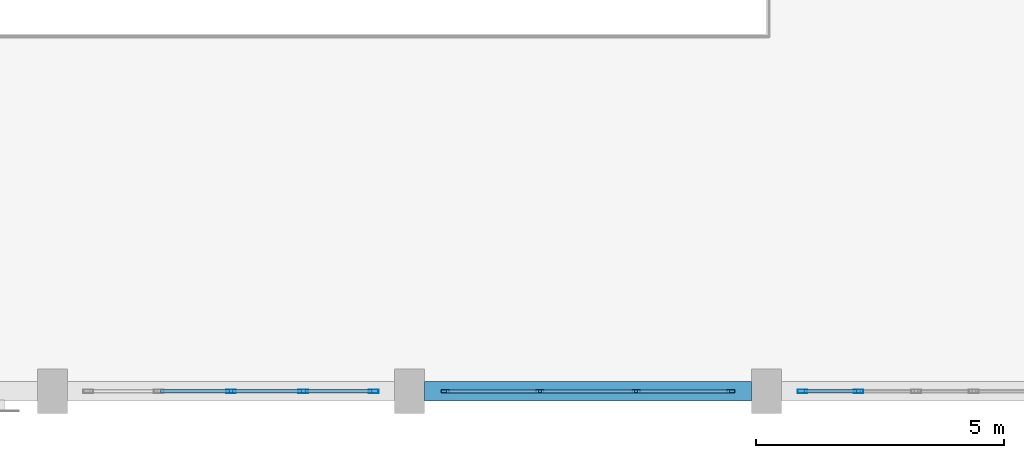
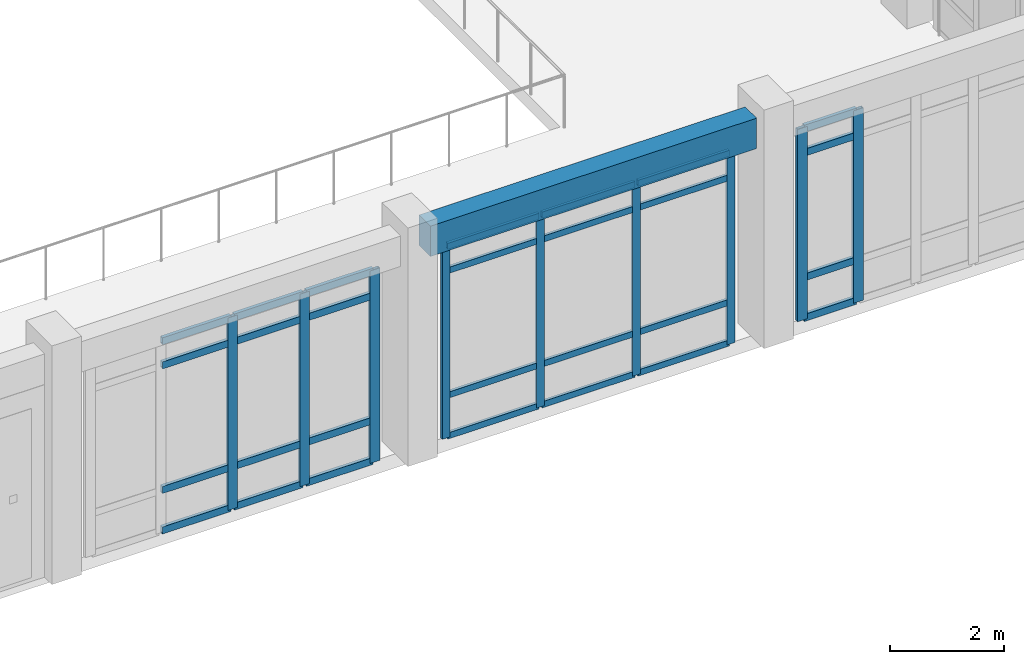
# One storey, part 16 of 117: 37 members, 1 beam, 3 elements without a shape of their own.
"""IFC4 building model written with IfcOpenShell, lengths in metres."""

from ifc_helpers import new_model, si_unit, direction, frame, origin, origin_2d, place, context, subcontext, project, spatial, rectangle, hollow_rectangle, extrude, material, layer, layer_set, material_profile, profile_set, type_object, element, aggregate, save


model = new_model("IFC4")

# Units and contexts
model_context = context("Model", 3, precision=1e-05, world=origin(), true_north=direction((0.0, 1.0)))
body_context = subcontext(model_context, "Body", "Model", "MODEL_VIEW")
ifc_project = project(units=[si_unit("LENGTHUNIT", "METRE"), si_unit("AREAUNIT", "SQUARE_METRE"), si_unit("VOLUMEUNIT", "CUBIC_METRE"), si_unit("PLANEANGLEUNIT", "RADIAN"), si_unit("MASSUNIT", "GRAM", prefix="KILO")], contexts=[model_context])

# Site, building, storey
site_placement = place(None, origin())
site = spatial("IfcSite", under=ifc_project, at=site_placement, CompositionType="ELEMENT")
building_placement = place(site_placement, origin())
building = spatial("IfcBuilding", under=site, at=building_placement, Name="Carrowvane Square Congress Hotel", CompositionType="ELEMENT")
storey_placement = place(building_placement, frame((0.0, 0.0, 5.39990234375)))
storey = spatial("IfcBuildingStorey", under=building, at=storey_placement, Name="L01", CompositionType="ELEMENT", Elevation=5.39990234375)

# Curtain wall, members
ifc_material_1 = material(Name="Anodised aluminium", Category="aluminium")
ifc_layer_1 = layer(ifc_material_1, 0.162109375)
ifc_layer_set_1 = layer_set([ifc_layer_1], Name="Anodised aluminium")
curtain_wall_type_1 = type_object("IfcCurtainWallType", Name="CW-SYS-1", PredefinedType="NOTDEFINED", material=ifc_layer_set_1)
curtain_wall_1_placement = place(storey_placement, origin())
curtain_wall_1 = element("IfcCurtainWall", 1, at=curtain_wall_1_placement, inside=storey, type_object=curtain_wall_type_1, Name="L01 unitised curtain wall 128", PredefinedType="NOTDEFINED")
ifc_material_2 = material(Name="Anodised aluminium", Category="aluminium")
ifc_material_profile_1 = material_profile(ifc_material_2, hollow_rectangle(XDim=0.06005859375, YDim=0.159912109375, WallThickness=0.00390625, at=origin_2d()), Name="CW-ML 60x160x4")
ifc_profile_set_1 = profile_set([ifc_material_profile_1], Name="Anodised aluminium")
member_type_1 = type_object("IfcMemberType", Name="CW-MUL-1", PredefinedType="MULLION", material=ifc_profile_set_1)
member_1_placement = place(storey_placement, frame((54.080078125, 5.39990234375, 0.0), z_axis=(0.0, 0.0, 1.0), x_axis=(0.0, -1.0, 0.0)))
member_1 = element("IfcMember", 2, at=member_1_placement, type_object=member_type_1, Name="CW-1 mullion 1", PredefinedType="MULLION", context=body_context, shape_type="SweptSolid", body=[
    extrude(hollow_rectangle(XDim=0.06005859375, YDim=0.159912109375, WallThickness=0.00390625, at=origin_2d()), origin(), (0.0, 0.0, 1.0), 4.114990234375),
])
member_2_placement = place(storey_placement, frame((52.169921875, 5.39990234375, 0.0), z_axis=(0.0, 0.0, 1.0), x_axis=(0.0, -1.0, 0.0)))
member_2 = element("IfcMember", 3, at=member_2_placement, type_object=member_type_1, Name="CW-1 mullion 2", PredefinedType="MULLION", context=body_context, shape_type="SweptSolid", body=[
    extrude(hollow_rectangle(XDim=0.06005859375, YDim=0.159912109375, WallThickness=0.00390625, at=origin_2d()), origin(), (0.0, 0.0, 1.0), 4.114990234375),
])
member_3_placement = place(storey_placement, frame((50.22998046875, 5.39990234375, 0.0), z_axis=(0.0, 0.0, 1.0), x_axis=(0.0, -1.0, 0.0)))
member_3 = element("IfcMember", 4, at=member_3_placement, type_object=member_type_1, Name="CW-1 mullion 3", PredefinedType="MULLION", context=body_context, shape_type="SweptSolid", body=[
    extrude(hollow_rectangle(XDim=0.06005859375, YDim=0.159912109375, WallThickness=0.00390625, at=origin_2d()), origin(), (0.0, 0.0, 1.0), 4.114990234375),
])
member_4_placement = place(storey_placement, frame((48.320068359375, 5.39990234375, 0.0), z_axis=(0.0, 0.0, 1.0), x_axis=(0.0, -1.0, 0.0)))
member_4 = element("IfcMember", 5, at=member_4_placement, type_object=member_type_1, Name="CW-1 mullion 4", PredefinedType="MULLION", context=body_context, shape_type="SweptSolid", body=[
    extrude(hollow_rectangle(XDim=0.06005859375, YDim=0.159912109375, WallThickness=0.00390625, at=origin_2d()), origin(), (0.0, 0.0, 1.0), 4.114990234375),
])

ifc_material_3 = material(Name="Anodised aluminium", Category="aluminium")
ifc_layer_2 = layer(ifc_material_3, 0.24609375)
ifc_layer_set_2 = layer_set([ifc_layer_2], Name="Anodised aluminium")
curtain_wall_type_2 = type_object("IfcCurtainWallType", Name="CW-SYS-8", PredefinedType="NOTDEFINED", material=ifc_layer_set_2)
curtain_wall_2_placement = place(storey_placement, origin())
curtain_wall_2 = element("IfcCurtainWall", 6, at=curtain_wall_2_placement, inside=storey, type_object=curtain_wall_type_2, Name="L01 unitised curtain wall 127", PredefinedType="NOTDEFINED")
ifc_material_4 = material(Name="Anodised aluminium", Category="aluminium")
ifc_material_profile_2 = material_profile(ifc_material_4, hollow_rectangle(XDim=0.070068359375, YDim=0.199951171875, WallThickness=0.0048828125, at=origin_2d()), Name="CW-ML 70x200x5")
ifc_profile_set_2 = profile_set([ifc_material_profile_2], Name="Anodised aluminium")
member_type_2 = type_object("IfcMemberType", Name="CW-MUL-2", PredefinedType="MULLION", material=ifc_profile_set_2)
member_5_placement = place(storey_placement, frame((56.654052734375, 5.39990234375, 0.0), z_axis=(0.0, 0.0, 1.0), x_axis=(0.0, -1.0, 0.0)))
member_5 = element("IfcMember", 7, at=member_5_placement, type_object=member_type_2, Name="CW-8 mullion 5", PredefinedType="MULLION", context=body_context, shape_type="SweptSolid", body=[
    extrude(hollow_rectangle(XDim=0.070068359375, YDim=0.199951171875, WallThickness=0.0048828125, at=origin_2d()), origin(), (0.0, 0.0, 1.0), 4.114990234375),
])
member_6_placement = place(storey_placement, frame((55.52490234375, 5.39990234375, 0.0), z_axis=(0.0, 0.0, 1.0), x_axis=(0.0, -1.0, 0.0)))
member_6 = element("IfcMember", 8, at=member_6_placement, type_object=member_type_2, Name="CW-8 mullion 6", PredefinedType="MULLION", context=body_context, shape_type="SweptSolid", body=[
    extrude(hollow_rectangle(XDim=0.070068359375, YDim=0.199951171875, WallThickness=0.0048828125, at=origin_2d()), origin(), (0.0, 0.0, 1.0), 4.114990234375),
])

ifc_material_5 = material(Name="Anodised aluminium", Category="aluminium")
ifc_layer_3 = layer(ifc_material_5, 0.174072265625)
ifc_layer_set_3 = layer_set([ifc_layer_3], Name="Anodised aluminium")
curtain_wall_type_3 = type_object("IfcCurtainWallType", Name="CW-SYS-2", PredefinedType="NOTDEFINED", material=ifc_layer_set_3)
curtain_wall_3_placement = place(storey_placement, origin())
curtain_wall_3 = element("IfcCurtainWall", 9, at=curtain_wall_3_placement, inside=storey, type_object=curtain_wall_type_3, Name="L01 unitised curtain wall 129", PredefinedType="NOTDEFINED")
member_7_placement = place(storey_placement, frame((46.875, 5.39990234375, 0.0), z_axis=(0.0, 0.0, 1.0), x_axis=(0.0, -1.0, 0.0)))
member_7 = element("IfcMember", 10, at=member_7_placement, type_object=member_type_2, Name="CW-2 mullion 1", PredefinedType="MULLION", context=body_context, shape_type="SweptSolid", body=[
    extrude(hollow_rectangle(XDim=0.070068359375, YDim=0.199951171875, WallThickness=0.0048828125, at=origin_2d()), origin(), (0.0, 0.0, 1.0), 4.114990234375),
])
member_8_placement = place(storey_placement, frame((45.455078125, 5.39990234375, 0.0), z_axis=(0.0, 0.0, 1.0), x_axis=(0.0, -1.0, 0.0)))
member_8 = element("IfcMember", 11, at=member_8_placement, type_object=member_type_2, Name="CW-2 mullion 2", PredefinedType="MULLION", context=body_context, shape_type="SweptSolid", body=[
    extrude(hollow_rectangle(XDim=0.070068359375, YDim=0.199951171875, WallThickness=0.0048828125, at=origin_2d()), origin(), (0.0, 0.0, 1.0), 4.114990234375),
])
member_9_placement = place(storey_placement, frame((44.0, 5.39990234375, 0.0), z_axis=(0.0, 0.0, 1.0), x_axis=(0.0, -1.0, 0.0)))
member_9 = element("IfcMember", 12, at=member_9_placement, type_object=member_type_2, Name="CW-2 mullion 3", PredefinedType="MULLION", context=body_context, shape_type="SweptSolid", body=[
    extrude(hollow_rectangle(XDim=0.070068359375, YDim=0.199951171875, WallThickness=0.0048828125, at=origin_2d()), origin(), (0.0, 0.0, 1.0), 4.114990234375),
])

# Member
ifc_material_6 = material(Name="Anodised aluminium", Category="aluminium")
ifc_material_profile_3 = material_profile(ifc_material_6, hollow_rectangle(XDim=0.06005859375, YDim=0.1298828125, WallThickness=0.00390625, at=origin_2d()), Name="CW-TR 60x130x4")
ifc_profile_set_3 = profile_set([ifc_material_profile_3], Name="Anodised aluminium")
member_type_3 = type_object("IfcMemberType", Name="CW-TRN-1", PredefinedType="USERDEFINED", material=ifc_profile_set_3)
member_10_placement = place(storey_placement, frame((54.050048828125, 5.39990234375, 0.030029296875), z_axis=(-1.0, 0.0, 0.0), x_axis=(0.0, -1.0, 0.0)))
member_10 = element("IfcMember", 13, at=member_10_placement, type_object=member_type_3, Name="CW-1 transom 1.1", ObjectType="TRANSOM", PredefinedType="USERDEFINED", context=body_context, shape_type="SweptSolid", body=[
    extrude(hollow_rectangle(XDim=0.06005859375, YDim=0.1298828125, WallThickness=0.00390625, at=origin_2d()), origin(), (0.0, 0.0, 1.0), 1.85009765625),
])

member_11_placement = place(storey_placement, frame((54.050048828125, 5.39990234375, 0.900146484375), z_axis=(-1.0, 0.0, 0.0), x_axis=(0.0, -1.0, 0.0)))
member_11 = element("IfcMember", 14, at=member_11_placement, type_object=member_type_3, Name="CW-1 transom 1.2", ObjectType="TRANSOM", PredefinedType="USERDEFINED", context=body_context, shape_type="SweptSolid", body=[
    extrude(hollow_rectangle(XDim=0.06005859375, YDim=0.1298828125, WallThickness=0.00390625, at=origin_2d()), origin(), (0.0, 0.0, 1.0), 1.85009765625),
])

member_12_placement = place(storey_placement, frame((54.050048828125, 5.39990234375, 3.565185546875), z_axis=(-1.0, 0.0, 0.0), x_axis=(0.0, -1.0, 0.0)))
member_12 = element("IfcMember", 15, at=member_12_placement, type_object=member_type_3, Name="CW-1 transom 1.3", ObjectType="TRANSOM", PredefinedType="USERDEFINED", context=body_context, shape_type="SweptSolid", body=[
    extrude(hollow_rectangle(XDim=0.06005859375, YDim=0.1298828125, WallThickness=0.00390625, at=origin_2d()), origin(), (0.0, 0.0, 1.0), 1.85009765625),
])

member_13_placement = place(storey_placement, frame((54.050048828125, 5.39990234375, 4.085205078125), z_axis=(-1.0, 0.0, 0.0), x_axis=(0.0, -1.0, 0.0)))
member_13 = element("IfcMember", 16, at=member_13_placement, type_object=member_type_3, Name="CW-1 transom 1.4", ObjectType="TRANSOM", PredefinedType="USERDEFINED", context=body_context, shape_type="SweptSolid", body=[
    extrude(hollow_rectangle(XDim=0.06005859375, YDim=0.1298828125, WallThickness=0.00390625, at=origin_2d()), origin(), (0.0, 0.0, 1.0), 1.85009765625),
])

member_14_placement = place(storey_placement, frame((52.139892578125, 5.39990234375, 0.030029296875), z_axis=(-1.0, 0.0, 0.0), x_axis=(0.0, -1.0, 0.0)))
member_14 = element("IfcMember", 17, at=member_14_placement, type_object=member_type_3, Name="CW-1 transom 2.1", ObjectType="TRANSOM", PredefinedType="USERDEFINED", context=body_context, shape_type="SweptSolid", body=[
    extrude(hollow_rectangle(XDim=0.06005859375, YDim=0.1298828125, WallThickness=0.00390625, at=origin_2d()), origin(), (0.0, 0.0, 1.0), 1.8798828125),
])

member_15_placement = place(storey_placement, frame((52.139892578125, 5.39990234375, 0.900146484375), z_axis=(-1.0, 0.0, 0.0), x_axis=(0.0, -1.0, 0.0)))
member_15 = element("IfcMember", 18, at=member_15_placement, type_object=member_type_3, Name="CW-1 transom 2.2", ObjectType="TRANSOM", PredefinedType="USERDEFINED", context=body_context, shape_type="SweptSolid", body=[
    extrude(hollow_rectangle(XDim=0.06005859375, YDim=0.1298828125, WallThickness=0.00390625, at=origin_2d()), origin(), (0.0, 0.0, 1.0), 1.8798828125),
])

member_16_placement = place(storey_placement, frame((52.139892578125, 5.39990234375, 3.565185546875), z_axis=(-1.0, 0.0, 0.0), x_axis=(0.0, -1.0, 0.0)))
member_16 = element("IfcMember", 19, at=member_16_placement, type_object=member_type_3, Name="CW-1 transom 2.3", ObjectType="TRANSOM", PredefinedType="USERDEFINED", context=body_context, shape_type="SweptSolid", body=[
    extrude(hollow_rectangle(XDim=0.06005859375, YDim=0.1298828125, WallThickness=0.00390625, at=origin_2d()), origin(), (0.0, 0.0, 1.0), 1.8798828125),
])

member_17_placement = place(storey_placement, frame((52.139892578125, 5.39990234375, 4.085205078125), z_axis=(-1.0, 0.0, 0.0), x_axis=(0.0, -1.0, 0.0)))
member_17 = element("IfcMember", 20, at=member_17_placement, type_object=member_type_3, Name="CW-1 transom 2.4", ObjectType="TRANSOM", PredefinedType="USERDEFINED", context=body_context, shape_type="SweptSolid", body=[
    extrude(hollow_rectangle(XDim=0.06005859375, YDim=0.1298828125, WallThickness=0.00390625, at=origin_2d()), origin(), (0.0, 0.0, 1.0), 1.8798828125),
])

member_18_placement = place(storey_placement, frame((50.199951171875, 5.39990234375, 0.030029296875), z_axis=(-1.0, 0.0, 0.0), x_axis=(0.0, -1.0, 0.0)))
member_18 = element("IfcMember", 21, at=member_18_placement, type_object=member_type_3, Name="CW-1 transom 3.1", ObjectType="TRANSOM", PredefinedType="USERDEFINED", context=body_context, shape_type="SweptSolid", body=[
    extrude(hollow_rectangle(XDim=0.06005859375, YDim=0.1298828125, WallThickness=0.00390625, at=origin_2d()), origin(), (0.0, 0.0, 1.0), 1.849853515625),
])

member_19_placement = place(storey_placement, frame((50.199951171875, 5.39990234375, 0.900146484375), z_axis=(-1.0, 0.0, 0.0), x_axis=(0.0, -1.0, 0.0)))
member_19 = element("IfcMember", 22, at=member_19_placement, type_object=member_type_3, Name="CW-1 transom 3.2", ObjectType="TRANSOM", PredefinedType="USERDEFINED", context=body_context, shape_type="SweptSolid", body=[
    extrude(hollow_rectangle(XDim=0.06005859375, YDim=0.1298828125, WallThickness=0.00390625, at=origin_2d()), origin(), (0.0, 0.0, 1.0), 1.849853515625),
])

member_20_placement = place(storey_placement, frame((50.199951171875, 5.39990234375, 3.565185546875), z_axis=(-1.0, 0.0, 0.0), x_axis=(0.0, -1.0, 0.0)))
member_20 = element("IfcMember", 23, at=member_20_placement, type_object=member_type_3, Name="CW-1 transom 3.3", ObjectType="TRANSOM", PredefinedType="USERDEFINED", context=body_context, shape_type="SweptSolid", body=[
    extrude(hollow_rectangle(XDim=0.06005859375, YDim=0.1298828125, WallThickness=0.00390625, at=origin_2d()), origin(), (0.0, 0.0, 1.0), 1.849853515625),
])

member_21_placement = place(storey_placement, frame((50.199951171875, 5.39990234375, 4.085205078125), z_axis=(-1.0, 0.0, 0.0), x_axis=(0.0, -1.0, 0.0)))
member_21 = element("IfcMember", 24, at=member_21_placement, type_object=member_type_3, Name="CW-1 transom 3.4", ObjectType="TRANSOM", PredefinedType="USERDEFINED", context=body_context, shape_type="SweptSolid", body=[
    extrude(hollow_rectangle(XDim=0.06005859375, YDim=0.1298828125, WallThickness=0.00390625, at=origin_2d()), origin(), (0.0, 0.0, 1.0), 1.849853515625),
])

aggregate(curtain_wall_1, [member_1, member_2, member_3, member_4, member_10, member_11, member_12, member_13, member_14, member_15, member_16, member_17, member_18, member_19, member_20, member_21])

ifc_material_7 = material(Name="Anodised aluminium", Category="aluminium")
ifc_material_profile_4 = material_profile(ifc_material_7, hollow_rectangle(XDim=0.070068359375, YDim=0.14990234375, WallThickness=0.0048828125, at=origin_2d()), Name="CW-TR 70x150x5")
ifc_profile_set_4 = profile_set([ifc_material_profile_4], Name="Anodised aluminium")
member_type_4 = type_object("IfcMemberType", Name="CW-TRN-2", PredefinedType="USERDEFINED", material=ifc_profile_set_4)
member_22_placement = place(storey_placement, frame((56.618896484375, 5.39990234375, 0.03515625), z_axis=(-1.0, 0.0, 0.0), x_axis=(0.0, -1.0, 0.0)))
member_22 = element("IfcMember", 25, at=member_22_placement, type_object=member_type_4, Name="CW-8 transom 5.1", ObjectType="TRANSOM", PredefinedType="USERDEFINED", context=body_context, shape_type="SweptSolid", body=[
    extrude(hollow_rectangle(XDim=0.070068359375, YDim=0.14990234375, WallThickness=0.0048828125, at=origin_2d()), origin(), (0.0, 0.0, 1.0), 1.058837890625),
])

member_23_placement = place(storey_placement, frame((56.618896484375, 5.39990234375, 0.900146484375), z_axis=(-1.0, 0.0, 0.0), x_axis=(0.0, -1.0, 0.0)))
member_23 = element("IfcMember", 26, at=member_23_placement, type_object=member_type_4, Name="CW-8 transom 5.2", ObjectType="TRANSOM", PredefinedType="USERDEFINED", context=body_context, shape_type="SweptSolid", body=[
    extrude(hollow_rectangle(XDim=0.070068359375, YDim=0.14990234375, WallThickness=0.0048828125, at=origin_2d()), origin(), (0.0, 0.0, 1.0), 1.058837890625),
])

member_24_placement = place(storey_placement, frame((56.618896484375, 5.39990234375, 3.565185546875), z_axis=(-1.0, 0.0, 0.0), x_axis=(0.0, -1.0, 0.0)))
member_24 = element("IfcMember", 27, at=member_24_placement, type_object=member_type_4, Name="CW-8 transom 5.3", ObjectType="TRANSOM", PredefinedType="USERDEFINED", context=body_context, shape_type="SweptSolid", body=[
    extrude(hollow_rectangle(XDim=0.070068359375, YDim=0.14990234375, WallThickness=0.0048828125, at=origin_2d()), origin(), (0.0, 0.0, 1.0), 1.058837890625),
])

member_25_placement = place(storey_placement, frame((56.618896484375, 5.39990234375, 4.080078125), z_axis=(-1.0, 0.0, 0.0), x_axis=(0.0, -1.0, 0.0)))
member_25 = element("IfcMember", 28, at=member_25_placement, type_object=member_type_4, Name="CW-8 transom 5.4", ObjectType="TRANSOM", PredefinedType="USERDEFINED", context=body_context, shape_type="SweptSolid", body=[
    extrude(hollow_rectangle(XDim=0.070068359375, YDim=0.14990234375, WallThickness=0.0048828125, at=origin_2d()), origin(), (0.0, 0.0, 1.0), 1.058837890625),
])

aggregate(curtain_wall_2, [member_5, member_6, member_22, member_23, member_24, member_25])

member_26_placement = place(storey_placement, frame((46.840087890625, 5.39990234375, 0.03515625), z_axis=(-1.0, 0.0, 0.0), x_axis=(0.0, -1.0, 0.0)))
member_26 = element("IfcMember", 29, at=member_26_placement, type_object=member_type_4, Name="CW-2 transom 1.1", ObjectType="TRANSOM", PredefinedType="USERDEFINED", context=body_context, shape_type="SweptSolid", body=[
    extrude(hollow_rectangle(XDim=0.070068359375, YDim=0.14990234375, WallThickness=0.0048828125, at=origin_2d()), origin(), (0.0, 0.0, 1.0), 1.35009765625),
])

member_27_placement = place(storey_placement, frame((46.840087890625, 5.39990234375, 0.900146484375), z_axis=(-1.0, 0.0, 0.0), x_axis=(0.0, -1.0, 0.0)))
member_27 = element("IfcMember", 30, at=member_27_placement, type_object=member_type_4, Name="CW-2 transom 1.2", ObjectType="TRANSOM", PredefinedType="USERDEFINED", context=body_context, shape_type="SweptSolid", body=[
    extrude(hollow_rectangle(XDim=0.070068359375, YDim=0.14990234375, WallThickness=0.0048828125, at=origin_2d()), origin(), (0.0, 0.0, 1.0), 1.35009765625),
])

member_28_placement = place(storey_placement, frame((46.840087890625, 5.39990234375, 3.565185546875), z_axis=(-1.0, 0.0, 0.0), x_axis=(0.0, -1.0, 0.0)))
member_28 = element("IfcMember", 31, at=member_28_placement, type_object=member_type_4, Name="CW-2 transom 1.3", ObjectType="TRANSOM", PredefinedType="USERDEFINED", context=body_context, shape_type="SweptSolid", body=[
    extrude(hollow_rectangle(XDim=0.070068359375, YDim=0.14990234375, WallThickness=0.0048828125, at=origin_2d()), origin(), (0.0, 0.0, 1.0), 1.35009765625),
])

member_29_placement = place(storey_placement, frame((46.840087890625, 5.39990234375, 4.080078125), z_axis=(-1.0, 0.0, 0.0), x_axis=(0.0, -1.0, 0.0)))
member_29 = element("IfcMember", 32, at=member_29_placement, type_object=member_type_4, Name="CW-2 transom 1.4", ObjectType="TRANSOM", PredefinedType="USERDEFINED", context=body_context, shape_type="SweptSolid", body=[
    extrude(hollow_rectangle(XDim=0.070068359375, YDim=0.14990234375, WallThickness=0.0048828125, at=origin_2d()), origin(), (0.0, 0.0, 1.0), 1.35009765625),
])

member_30_placement = place(storey_placement, frame((45.419921875, 5.39990234375, 0.03515625), z_axis=(-1.0, 0.0, 0.0), x_axis=(0.0, -1.0, 0.0)))
member_30 = element("IfcMember", 33, at=member_30_placement, type_object=member_type_4, Name="CW-2 transom 2.1", ObjectType="TRANSOM", PredefinedType="USERDEFINED", context=body_context, shape_type="SweptSolid", body=[
    extrude(hollow_rectangle(XDim=0.070068359375, YDim=0.14990234375, WallThickness=0.0048828125, at=origin_2d()), origin(), (0.0, 0.0, 1.0), 1.385009765625),
])

member_31_placement = place(storey_placement, frame((45.419921875, 5.39990234375, 0.900146484375), z_axis=(-1.0, 0.0, 0.0), x_axis=(0.0, -1.0, 0.0)))
member_31 = element("IfcMember", 34, at=member_31_placement, type_object=member_type_4, Name="CW-2 transom 2.2", ObjectType="TRANSOM", PredefinedType="USERDEFINED", context=body_context, shape_type="SweptSolid", body=[
    extrude(hollow_rectangle(XDim=0.070068359375, YDim=0.14990234375, WallThickness=0.0048828125, at=origin_2d()), origin(), (0.0, 0.0, 1.0), 1.385009765625),
])

member_32_placement = place(storey_placement, frame((45.419921875, 5.39990234375, 3.565185546875), z_axis=(-1.0, 0.0, 0.0), x_axis=(0.0, -1.0, 0.0)))
member_32 = element("IfcMember", 35, at=member_32_placement, type_object=member_type_4, Name="CW-2 transom 2.3", ObjectType="TRANSOM", PredefinedType="USERDEFINED", context=body_context, shape_type="SweptSolid", body=[
    extrude(hollow_rectangle(XDim=0.070068359375, YDim=0.14990234375, WallThickness=0.0048828125, at=origin_2d()), origin(), (0.0, 0.0, 1.0), 1.385009765625),
])

member_33_placement = place(storey_placement, frame((45.419921875, 5.39990234375, 4.080078125), z_axis=(-1.0, 0.0, 0.0), x_axis=(0.0, -1.0, 0.0)))
member_33 = element("IfcMember", 36, at=member_33_placement, type_object=member_type_4, Name="CW-2 transom 2.4", ObjectType="TRANSOM", PredefinedType="USERDEFINED", context=body_context, shape_type="SweptSolid", body=[
    extrude(hollow_rectangle(XDim=0.070068359375, YDim=0.14990234375, WallThickness=0.0048828125, at=origin_2d()), origin(), (0.0, 0.0, 1.0), 1.385009765625),
])

member_34_placement = place(storey_placement, frame((43.965087890625, 5.39990234375, 0.03515625), z_axis=(-1.0, 0.0, 0.0), x_axis=(0.0, -1.0, 0.0)))
member_34 = element("IfcMember", 37, at=member_34_placement, type_object=member_type_4, Name="CW-2 transom 3.1", ObjectType="TRANSOM", PredefinedType="USERDEFINED", context=body_context, shape_type="SweptSolid", body=[
    extrude(hollow_rectangle(XDim=0.070068359375, YDim=0.14990234375, WallThickness=0.0048828125, at=origin_2d()), origin(), (0.0, 0.0, 1.0), 1.385009765625),
])

member_35_placement = place(storey_placement, frame((43.965087890625, 5.39990234375, 0.900146484375), z_axis=(-1.0, 0.0, 0.0), x_axis=(0.0, -1.0, 0.0)))
member_35 = element("IfcMember", 38, at=member_35_placement, type_object=member_type_4, Name="CW-2 transom 3.2", ObjectType="TRANSOM", PredefinedType="USERDEFINED", context=body_context, shape_type="SweptSolid", body=[
    extrude(hollow_rectangle(XDim=0.070068359375, YDim=0.14990234375, WallThickness=0.0048828125, at=origin_2d()), origin(), (0.0, 0.0, 1.0), 1.385009765625),
])

member_36_placement = place(storey_placement, frame((43.965087890625, 5.39990234375, 3.565185546875), z_axis=(-1.0, 0.0, 0.0), x_axis=(0.0, -1.0, 0.0)))
member_36 = element("IfcMember", 39, at=member_36_placement, type_object=member_type_4, Name="CW-2 transom 3.3", ObjectType="TRANSOM", PredefinedType="USERDEFINED", context=body_context, shape_type="SweptSolid", body=[
    extrude(hollow_rectangle(XDim=0.070068359375, YDim=0.14990234375, WallThickness=0.0048828125, at=origin_2d()), origin(), (0.0, 0.0, 1.0), 1.385009765625),
])

member_37_placement = place(storey_placement, frame((43.965087890625, 5.39990234375, 4.080078125), z_axis=(-1.0, 0.0, 0.0), x_axis=(0.0, -1.0, 0.0)))
member_37 = element("IfcMember", 40, at=member_37_placement, type_object=member_type_4, Name="CW-2 transom 3.4", ObjectType="TRANSOM", PredefinedType="USERDEFINED", context=body_context, shape_type="SweptSolid", body=[
    extrude(hollow_rectangle(XDim=0.070068359375, YDim=0.14990234375, WallThickness=0.0048828125, at=origin_2d()), origin(), (0.0, 0.0, 1.0), 1.385009765625),
])

aggregate(curtain_wall_3, [member_7, member_8, member_9, member_26, member_27, member_28, member_29, member_30, member_31, member_32, member_33, member_34, member_35, member_36, member_37])

# Beam
ifc_material_8 = material(Name="Concrete C35/45", Category="concrete")
ifc_material_profile_5 = material_profile(ifc_material_8, rectangle(XDim=0.39990234375, YDim=0.64990234375, at=origin_2d()), Name="RC 400x650")
ifc_profile_set_5 = profile_set([ifc_material_profile_5], Name="Concrete C35/45")
beam_type = type_object("IfcBeamType", Name="SP-RC-400x650", PredefinedType="SPANDREL", material=ifc_profile_set_5)
beam_placement = place(storey_placement, frame((47.89990234375, 5.39990234375, 4.455078125), z_axis=(1.0, 0.0, 0.0), x_axis=(0.0, 1.0, 0.0)))
element("IfcBeam", 41, at=beam_placement, inside=storey, type_object=beam_type, Name="L02 girder A/6-7", PredefinedType="SPANDREL", context=body_context, shape_type="SweptSolid", body=[
    extrude(rectangle(XDim=0.39990234375, YDim=0.64990234375, at=origin_2d()), origin(), (0.0, 0.0, 1.0), 6.60009765625),
])

save(model, "model.ifc")
